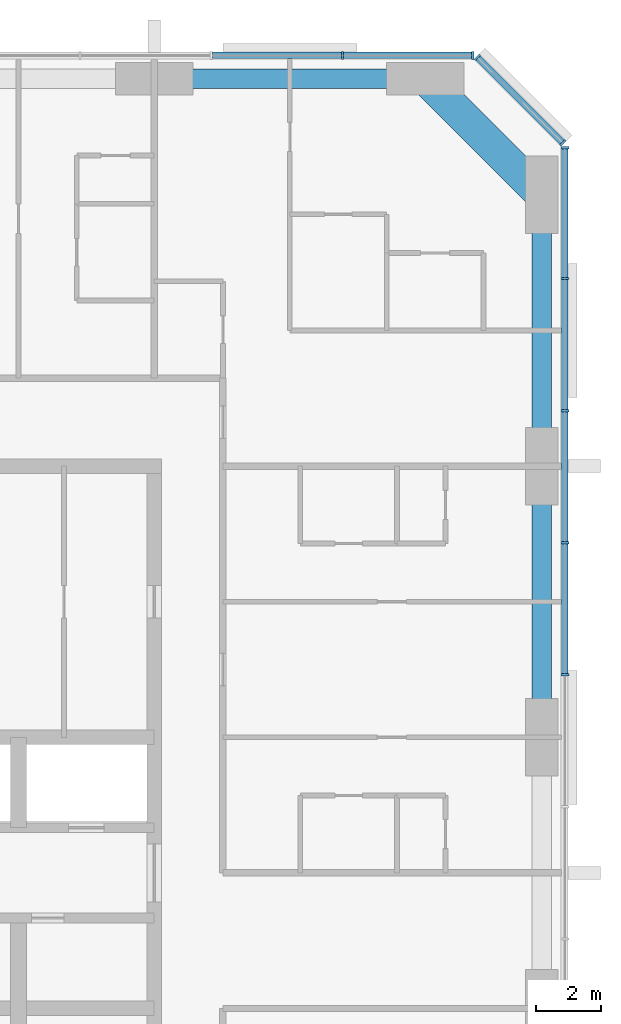
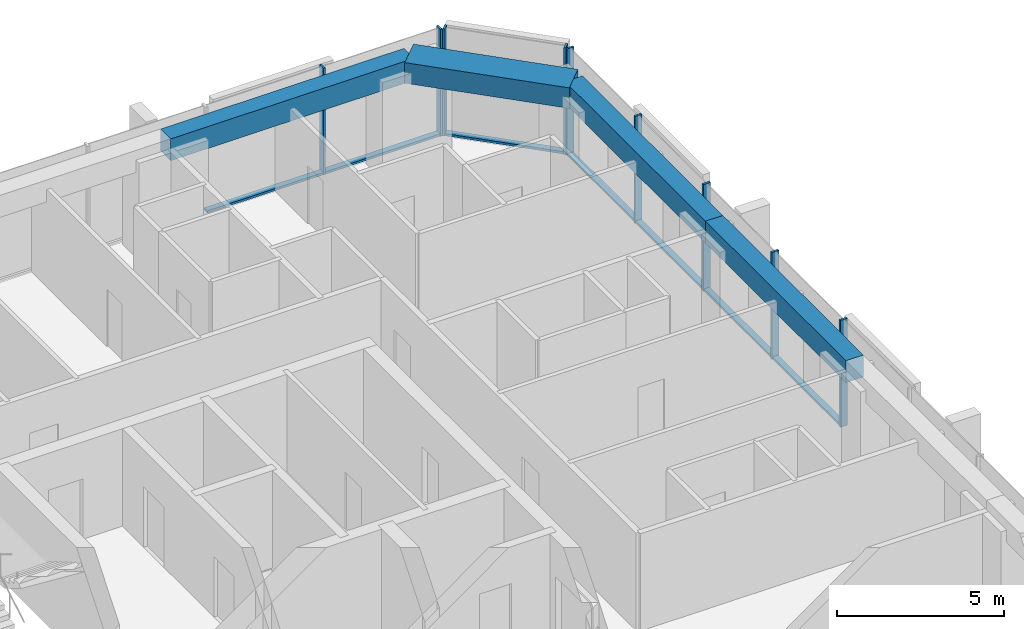
# One storey, part 5 of 13: 16 members, 4 beams, 3 elements without a shape of their own.
"""IFC4 building model written with IfcOpenShell, lengths in metres."""

from ifc_helpers import new_model, si_unit, direction, frame, origin, origin_2d, place, context, subcontext, project, spatial, rectangle, extrude, material, material_profile, profile_set, type_object, element, aggregate, save


model = new_model("IFC4")

# Units and contexts
model_context = context("Model", 3, precision=1e-05, world=origin(), true_north=direction((0.0, 1.0)))
body_context = subcontext(model_context, "Body", "Model", "MODEL_VIEW")
ifc_project = project(units=[si_unit("LENGTHUNIT", "METRE"), si_unit("AREAUNIT", "SQUARE_METRE"), si_unit("VOLUMEUNIT", "CUBIC_METRE"), si_unit("PLANEANGLEUNIT", "RADIAN"), si_unit("MASSUNIT", "GRAM", prefix="KILO")], contexts=[model_context])

# Site, building, storey
site_placement = place(None, origin())
site = spatial("IfcSite", under=ifc_project, at=site_placement, CompositionType="ELEMENT")
building_placement = place(site_placement, origin())
building = spatial("IfcBuilding", under=site, at=building_placement, Name="Dunama Terrace Hotel", CompositionType="ELEMENT")
storey_placement = place(building_placement, frame((0.0, 0.0, 280.199951171875)))
storey = spatial("IfcBuildingStorey", under=building, at=storey_placement, Name="L72", CompositionType="ELEMENT", Elevation=280.199951171875)

# Curtain wall, members
ifc_material_1 = material(Name="Aluminium curtain wall system", Category="aluminium")
curtain_wall_type = type_object("IfcCurtainWallType", Name="Unitised fritted glass wall CW-D", PredefinedType="NOTDEFINED", material=ifc_material_1)
curtain_wall_1_placement = place(storey_placement, origin())
curtain_wall_1 = element("IfcCurtainWall", 1, at=curtain_wall_1_placement, inside=storey, type_object=curtain_wall_type, Name="Unitised fritted glass wall CW-D L72", PredefinedType="NOTDEFINED")
ifc_material_2 = material(Name="Aluminium mullion", Category="aluminium")
ifc_material_profile_1 = material_profile(ifc_material_2, rectangle(XDim=0.070068359375, YDim=0.239990234375, at=origin_2d()), Name="CWD MULLION 70X240")
ifc_profile_set_1 = profile_set([ifc_material_profile_1], Name="Aluminium mullion")
member_type_1 = type_object("IfcMemberType", Name="CWD mullion 70x240", PredefinedType="MULLION", material=ifc_profile_set_1)
member_1_placement = place(storey_placement, frame((54.719970703125, 35.535888671875, 0.0), z_axis=(0.0, 0.0, 1.0), x_axis=(0.0, 1.0, 0.0)))
member_1 = element("IfcMember", 2, at=member_1_placement, type_object=member_type_1, Name="CWD mullion", PredefinedType="MULLION", context=body_context, shape_type="SweptSolid", body=[
    extrude(rectangle(XDim=0.070068359375, YDim=0.239990234375, at=origin_2d()), origin(), (0.0, 0.0, 1.0), 3.900146484375),
])
member_2_placement = place(storey_placement, frame((54.719970703125, 39.626953125, 0.0), z_axis=(0.0, 0.0, 1.0), x_axis=(0.0, 1.0, 0.0)))
member_2 = element("IfcMember", 3, at=member_2_placement, type_object=member_type_1, Name="CWD mullion", PredefinedType="MULLION", context=body_context, shape_type="SweptSolid", body=[
    extrude(rectangle(XDim=0.070068359375, YDim=0.239990234375, at=origin_2d()), origin(), (0.0, 0.0, 1.0), 3.900146484375),
])
member_3_placement = place(storey_placement, frame((54.719970703125, 43.718017578125, 0.0), z_axis=(0.0, 0.0, 1.0), x_axis=(0.0, 1.0, 0.0)))
member_3 = element("IfcMember", 4, at=member_3_placement, type_object=member_type_1, Name="CWD mullion", PredefinedType="MULLION", context=body_context, shape_type="SweptSolid", body=[
    extrude(rectangle(XDim=0.070068359375, YDim=0.239990234375, at=origin_2d()), origin(), (0.0, 0.0, 1.0), 3.900146484375),
])
member_4_placement = place(storey_placement, frame((54.719970703125, 47.80908203125, 0.0), z_axis=(0.0, 0.0, 1.0), x_axis=(0.0, 1.0, 0.0)))
member_4 = element("IfcMember", 5, at=member_4_placement, type_object=member_type_1, Name="CWD mullion", PredefinedType="MULLION", context=body_context, shape_type="SweptSolid", body=[
    extrude(rectangle(XDim=0.070068359375, YDim=0.239990234375, at=origin_2d()), origin(), (0.0, 0.0, 1.0), 3.900146484375),
])
member_5_placement = place(storey_placement, frame((54.719970703125, 51.864990234375, 0.0), z_axis=(0.0, 0.0, 1.0), x_axis=(0.0, 1.0, 0.0)))
member_5 = element("IfcMember", 6, at=member_5_placement, type_object=member_type_1, Name="CWD mullion", PredefinedType="MULLION", context=body_context, shape_type="SweptSolid", body=[
    extrude(rectangle(XDim=0.070068359375, YDim=0.239990234375, at=origin_2d()), origin(), (0.0, 0.0, 1.0), 3.900146484375),
])

curtain_wall_2_placement = place(storey_placement, origin())
curtain_wall_2 = element("IfcCurtainWall", 7, at=curtain_wall_2_placement, inside=storey, type_object=curtain_wall_type, Name="Unitised fritted glass wall CW-D L72", PredefinedType="NOTDEFINED")
member_6_placement = place(storey_placement, frame((54.659912109375, 52.010009765625, 0.0), z_axis=(0.0, 0.0, 1.0), x_axis=(-0.707106781187, 0.707106781187, 0.0)))
member_6 = element("IfcMember", 8, at=member_6_placement, type_object=member_type_1, Name="CWD mullion", PredefinedType="MULLION", context=body_context, shape_type="SweptSolid", body=[
    extrude(rectangle(XDim=0.070068359375, YDim=0.239990234375, at=origin_2d()), origin(), (0.0, 0.0, 1.0), 3.900146484375),
])
member_7_placement = place(storey_placement, frame((52.010009765625, 54.659912109375, 0.0), z_axis=(0.0, 0.0, 1.0), x_axis=(-0.707106781187, 0.707106781187, 0.0)))
member_7 = element("IfcMember", 9, at=member_7_placement, type_object=member_type_1, Name="CWD mullion", PredefinedType="MULLION", context=body_context, shape_type="SweptSolid", body=[
    extrude(rectangle(XDim=0.070068359375, YDim=0.239990234375, at=origin_2d()), origin(), (0.0, 0.0, 1.0), 3.900146484375),
])

curtain_wall_3_placement = place(storey_placement, origin())
curtain_wall_3 = element("IfcCurtainWall", 10, at=curtain_wall_3_placement, inside=storey, type_object=curtain_wall_type, Name="Unitised fritted glass wall CW-D L72", PredefinedType="NOTDEFINED")
member_8_placement = place(storey_placement, frame((51.864990234375, 54.719970703125, 0.0), z_axis=(0.0, 0.0, 1.0), x_axis=(-1.0, 0.0, 0.0)))
member_8 = element("IfcMember", 11, at=member_8_placement, type_object=member_type_1, Name="CWD mullion", PredefinedType="MULLION", context=body_context, shape_type="SweptSolid", body=[
    extrude(rectangle(XDim=0.070068359375, YDim=0.239990234375, at=origin_2d()), origin(), (0.0, 0.0, 1.0), 3.900146484375),
])
member_9_placement = place(storey_placement, frame((47.8330078125, 54.719970703125, 0.0), z_axis=(0.0, 0.0, 1.0), x_axis=(-1.0, 0.0, 0.0)))
member_9 = element("IfcMember", 12, at=member_9_placement, type_object=member_type_1, Name="CWD mullion", PredefinedType="MULLION", context=body_context, shape_type="SweptSolid", body=[
    extrude(rectangle(XDim=0.070068359375, YDim=0.239990234375, at=origin_2d()), origin(), (0.0, 0.0, 1.0), 3.900146484375),
])

# Member
ifc_material_3 = material(Name="Aluminium transom", Category="aluminium")
ifc_material_profile_2 = material_profile(ifc_material_3, rectangle(XDim=0.199951171875, YDim=0.0849609375, at=origin_2d()), Name="CWD TRANSOM 200X85")
ifc_profile_set_2 = profile_set([ifc_material_profile_2], Name="Aluminium transom")
member_type_2 = type_object("IfcMemberType", Name="CWD transom 200x85", PredefinedType="USERDEFINED", material=ifc_profile_set_2)
member_10_placement = place(storey_placement, frame((54.719970703125, 35.571044921875, 0.04248046875), z_axis=(0.0, 1.0, 0.0), x_axis=(-1.0, 0.0, 0.0)))
member_10 = element("IfcMember", 13, at=member_10_placement, type_object=member_type_2, Name="CWD transom", ObjectType="TRANSOM", PredefinedType="USERDEFINED", context=body_context, shape_type="SweptSolid", body=[
    extrude(rectangle(XDim=0.199951171875, YDim=0.0849609375, at=origin_2d()), origin(), (0.0, 0.0, 1.0), 4.02099609375),
])

member_11_placement = place(storey_placement, frame((54.719970703125, 39.662109375, 0.04248046875), z_axis=(0.0, 1.0, 0.0), x_axis=(-1.0, 0.0, 0.0)))
member_11 = element("IfcMember", 14, at=member_11_placement, type_object=member_type_2, Name="CWD transom", ObjectType="TRANSOM", PredefinedType="USERDEFINED", context=body_context, shape_type="SweptSolid", body=[
    extrude(rectangle(XDim=0.199951171875, YDim=0.0849609375, at=origin_2d()), origin(), (0.0, 0.0, 1.0), 4.02099609375),
])

member_12_placement = place(storey_placement, frame((54.719970703125, 43.7529296875, 0.04248046875), z_axis=(0.0, 1.0, 0.0), x_axis=(-1.0, 0.0, 0.0)))
member_12 = element("IfcMember", 15, at=member_12_placement, type_object=member_type_2, Name="CWD transom", ObjectType="TRANSOM", PredefinedType="USERDEFINED", context=body_context, shape_type="SweptSolid", body=[
    extrude(rectangle(XDim=0.199951171875, YDim=0.0849609375, at=origin_2d()), origin(), (0.0, 0.0, 1.0), 4.02099609375),
])

member_13_placement = place(storey_placement, frame((54.719970703125, 47.843994140625, 0.04248046875), z_axis=(0.0, 1.0, 0.0), x_axis=(-1.0, 0.0, 0.0)))
member_13 = element("IfcMember", 16, at=member_13_placement, type_object=member_type_2, Name="CWD transom", ObjectType="TRANSOM", PredefinedType="USERDEFINED", context=body_context, shape_type="SweptSolid", body=[
    extrude(rectangle(XDim=0.199951171875, YDim=0.0849609375, at=origin_2d()), origin(), (0.0, 0.0, 1.0), 3.986083984375),
])

aggregate(curtain_wall_1, [member_1, member_2, member_3, member_4, member_5, member_10, member_11, member_12, member_13])

member_14_placement = place(storey_placement, frame((54.635009765625, 52.033935546875, 0.04248046875), z_axis=(-0.707106781187, 0.707106781187, 0.0), x_axis=(-0.707106781187, -0.707106781187, 0.0)))
member_14 = element("IfcMember", 17, at=member_14_placement, type_object=member_type_2, Name="CWD transom", ObjectType="TRANSOM", PredefinedType="USERDEFINED", context=body_context, shape_type="SweptSolid", body=[
    extrude(rectangle(XDim=0.199951171875, YDim=0.0849609375, at=origin_2d()), origin(), (0.0, 0.0, 1.0), 3.678466796875),
])

aggregate(curtain_wall_2, [member_6, member_7, member_14])

member_15_placement = place(storey_placement, frame((51.830078125, 54.719970703125, 0.04248046875), z_axis=(-1.0, 0.0, 0.0), x_axis=(0.0, -1.0, 0.0)))
member_15 = element("IfcMember", 18, at=member_15_placement, type_object=member_type_2, Name="CWD transom", ObjectType="TRANSOM", PredefinedType="USERDEFINED", context=body_context, shape_type="SweptSolid", body=[
    extrude(rectangle(XDim=0.199951171875, YDim=0.0849609375, at=origin_2d()), origin(), (0.0, 0.0, 1.0), 3.962158203125),
])

member_16_placement = place(storey_placement, frame((47.798095703125, 54.719970703125, 0.04248046875), z_axis=(-1.0, 0.0, 0.0), x_axis=(0.0, -1.0, 0.0)))
member_16 = element("IfcMember", 19, at=member_16_placement, type_object=member_type_2, Name="CWD transom", ObjectType="TRANSOM", PredefinedType="USERDEFINED", context=body_context, shape_type="SweptSolid", body=[
    extrude(rectangle(XDim=0.199951171875, YDim=0.0849609375, at=origin_2d()), origin(), (0.0, 0.0, 1.0), 3.99609375),
])

aggregate(curtain_wall_3, [member_8, member_9, member_15, member_16])

# Beams
ifc_material_4 = material(Name="Concrete C50/60", Category="concrete")
ifc_material_profile_3 = material_profile(ifc_material_4, rectangle(XDim=1.0, YDim=0.75, at=origin_2d()), Name="RC 1000x750")
ifc_profile_set_3 = profile_set([ifc_material_profile_3], Name="Concrete C50/60")
beam_type_1 = type_object("IfcBeamType", Name="Edge beam RC 1000x750", PredefinedType="SPANDREL", material=ifc_profile_set_3)
beam_placement = place(storey_placement, frame((50.39990234375, 54.0, 3.525146484375), z_axis=(0.707106781187, -0.707106781187, 0.0), x_axis=(0.707106781187, 0.707106781187, 0.0)))
element("IfcBeam", 20, at=beam_placement, inside=storey, type_object=beam_type_1, Name="Corner edge beam under L73", PredefinedType="SPANDREL", context=body_context, shape_type="SweptSolid", body=[
    extrude(rectangle(XDim=1.0, YDim=0.75, at=origin_2d()), origin(), (0.0, 0.0, 1.0), 5.09130859375),
])
ifc_material_5 = material(Name="Concrete C40/50", Category="concrete")
ifc_material_profile_4 = material_profile(ifc_material_5, rectangle(XDim=0.60009765625, YDim=0.800048828125, at=origin_2d()), Name="RC 600x800")
ifc_profile_set_4 = profile_set([ifc_material_profile_4], Name="Concrete C40/50")
beam_type_2 = type_object("IfcBeamType", Name="Edge beam RC 600x800", PredefinedType="SPANDREL", material=ifc_profile_set_4)
for number, where, z_axis, x_axis, name in (
    (21, (54.0, 33.60009765625, 3.5), (0.0, 1.0, 0.0), (-1.0, 0.0, 0.0), "Edge beam under L73"),
    (22, (54.0, 42.0, 3.5), (0.0, 1.0, 0.0), (-1.0, 0.0, 0.0), "Edge beam under L73"),
    (23, (42.0, 54.0, 3.5), (1.0, 0.0, 0.0), (0.0, 1.0, 0.0), "Edge beam under L73"),
):
    element("IfcBeam", number, at=place(storey_placement, frame(where, z_axis=z_axis, x_axis=x_axis)), inside=storey, type_object=beam_type_2, Name=name, PredefinedType="SPANDREL", context=body_context, shape_type="SweptSolid", body=[
        extrude(rectangle(XDim=0.60009765625, YDim=0.800048828125, at=origin_2d()), origin(), (0.0, 0.0, 1.0), 8.39990234375),
    ])

save(model, "model.ifc")
